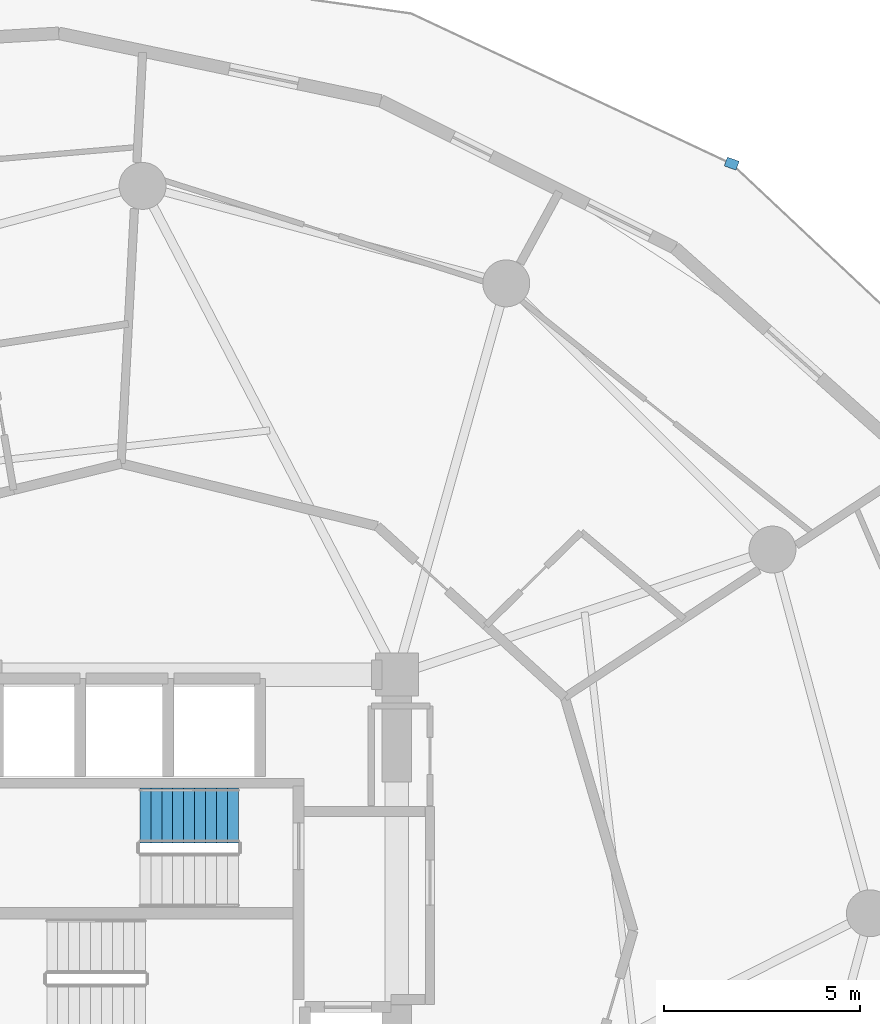
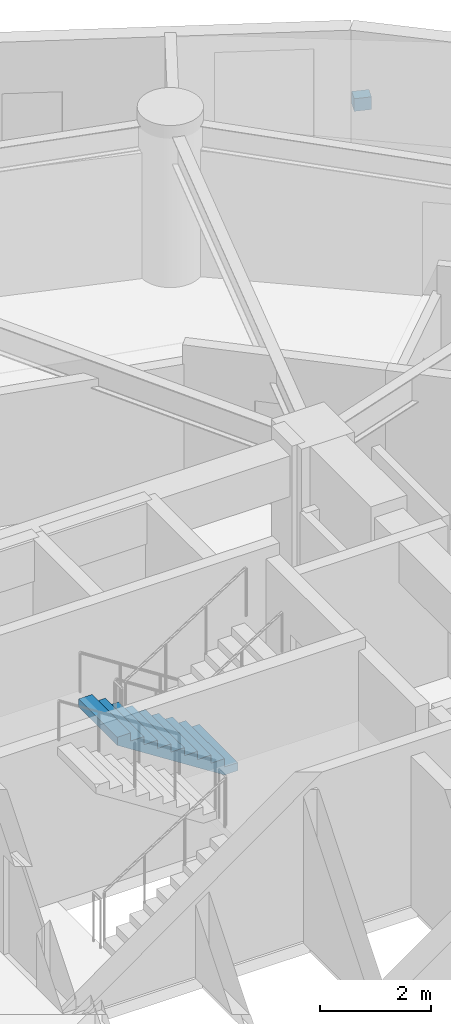
# One storey, part 24 of 26: 1 discrete accessory, 1 stair flight, 1 element without a shape of its own.
"""IFC4 building model written with IfcOpenShell, lengths in metres."""

from ifc_helpers import new_model, si_unit, direction, frame, origin, origin_2d, place, context, subcontext, project, spatial, polyline, rectangle, outline, extrude, material, type_object, element, aggregate, save


model = new_model("IFC4")

# Units and contexts
model_context = context("Model", 3, precision=1e-05, world=origin(), true_north=direction((0.0, 1.0)))
body_context = subcontext(model_context, "Body", "Model", "MODEL_VIEW")
ifc_project = project(units=[si_unit("LENGTHUNIT", "METRE"), si_unit("AREAUNIT", "SQUARE_METRE"), si_unit("VOLUMEUNIT", "CUBIC_METRE"), si_unit("PLANEANGLEUNIT", "RADIAN"), si_unit("MASSUNIT", "GRAM", prefix="KILO")], contexts=[model_context])

# Site, building, storey
site_placement = place(None, origin())
site = spatial("IfcSite", under=ifc_project, at=site_placement, CompositionType="ELEMENT")
building_placement = place(site_placement, origin())
building = spatial("IfcBuilding", under=site, at=building_placement, Name="Solvirekh Grand Hotel", CompositionType="ELEMENT")
storey_placement = place(building_placement, frame((0.0, 0.0, 71.60009765625)))
storey = spatial("IfcBuildingStorey", under=building, at=storey_placement, Name="L17", CompositionType="ELEMENT", Elevation=71.60009765625)

# Stair, stair flight
ifc_material_1 = material(Name="Concrete C40/50", Category="concrete")
stair_type = type_object("IfcStairType", Name="Stair_Core_1450", PredefinedType="HALF_TURN_STAIR", material=ifc_material_1)
stair_placement = place(storey_placement, origin())
stair = element("IfcStair", 1, at=stair_placement, inside=storey, type_object=stair_type, Name="L17 Enclosed exit stair ST-2", PredefinedType="HALF_TURN_STAIR")
stair_flight_type = type_object("IfcStairFlightType", Name="Flight_Core_1450", PredefinedType="STRAIGHT", material=ifc_material_1)
stair_flight_placement = place(storey_placement, frame((2.449951171875, 2.5, 0.0), z_axis=(0.0, 0.0, 1.0), x_axis=(-1.0, 0.0, 0.0)))
stair_flight = element("IfcStairFlight", 2, at=stair_flight_placement, type_object=stair_flight_type, Name="ST-2 flight 1", NumberOfRisers=10, NumberOfTreads=9, PredefinedType="STRAIGHT", RiserHeight=0.18, TreadLength=0.28, context=body_context, shape_type="SweptSolid", body=[
    extrude(outline(polyline([(0.0, 0.0), (0.0, 0.179931640625), (0.280029296875, 0.179931640625), (0.280029296875, 0.360107421875), (0.56005859375, 0.360107421875), (0.56005859375, 0.5400390625), (0.840087890625, 0.5400390625), (0.840087890625, 0.719970703125), (1.1201171875, 0.719970703125), (1.1201171875, 0.89990234375), (1.39990234375, 0.89990234375), (1.39990234375, 1.080078125), (1.679931640625, 1.080078125), (1.679931640625, 1.260009765625), (1.9599609375, 1.260009765625), (1.9599609375, 1.43994140625), (2.239990234375, 1.43994140625), (2.239990234375, 1.6201171875), (2.52001953125, 1.6201171875), (2.52001953125, 1.800048828125), (2.52001953125, 1.44189453125), (0.277099609375, 0.0), (0.0, 0.0)])), frame((0.0, 0.699951171875, 0.0), z_axis=(0.0, -1.0, 0.0), x_axis=(1.0, 0.0, 0.0)), (0.0, 0.0, 1.0), 1.39990234375),
])
aggregate(stair, [stair_flight])

# Discrete accessory
ifc_material_2 = material(Name="Steel S355", Category="steel")
discrete_accessory_type = type_object("IfcDiscreteAccessoryType", Name="Acc_ThermalBracket", PredefinedType="BRACKET", material=ifc_material_2)
discrete_accessory_placement = place(storey_placement, frame((15.06494140625, 19.169921875, -0.2802734375), z_axis=(0.0, 0.0, 1.0), x_axis=(0.944376370237, -0.328866646739, 0.0)))
element("IfcDiscreteAccessory", 3, at=discrete_accessory_placement, inside=storey, type_object=discrete_accessory_type, Name="L17 balcony thermal-break bracket", PredefinedType="BRACKET", context=body_context, shape_type="SweptSolid", body=[
    extrude(rectangle(XDim=0.320068359375, YDim=0.239990234375, at=origin_2d()), origin(), (0.0, 0.0, 1.0), 0.280029296875),
])

save(model, "model.ifc")
